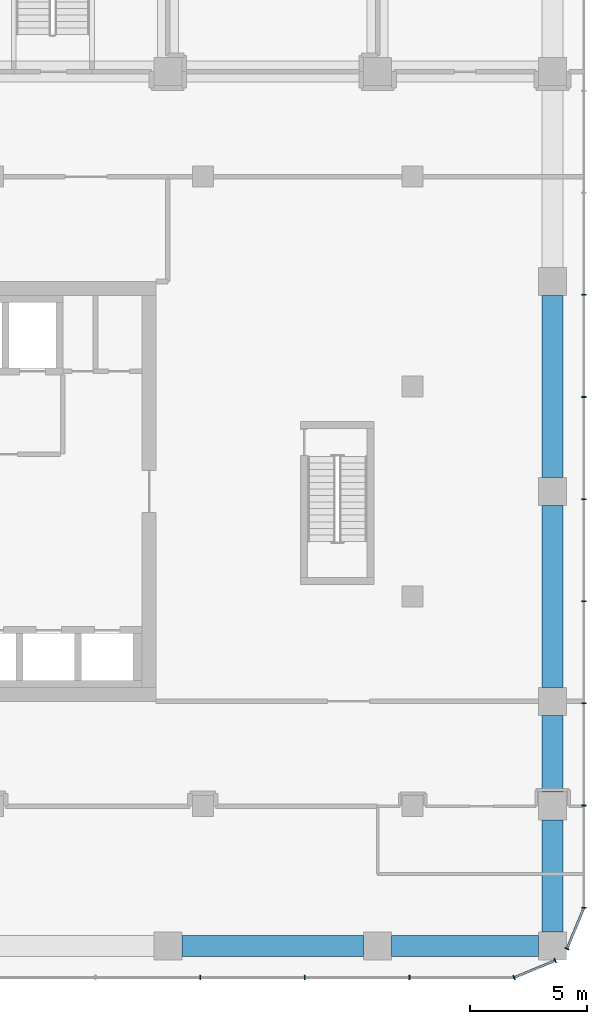
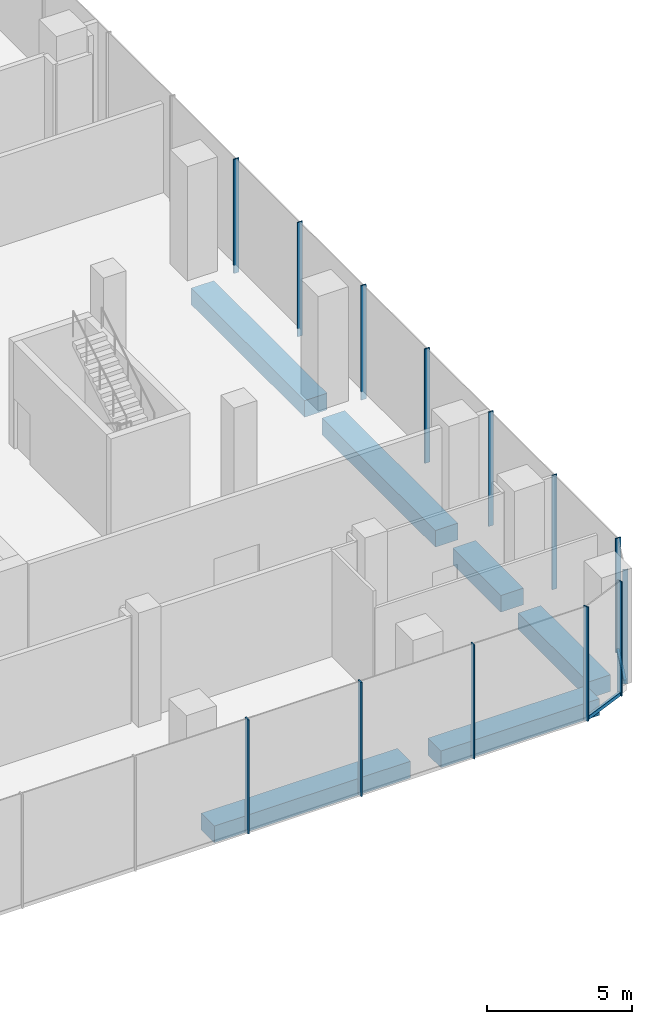
# One storey, part 16 of 42: 15 members, 6 beams, 4 elements without a shape of their own.
"""IFC4 building model written with IfcOpenShell, lengths in metres."""

from ifc_helpers import new_model, si_unit, direction, frame, origin, origin_2d, place, context, subcontext, project, spatial, rectangle, extrude, material, layer, layer_set, material_profile, profile_set, type_object, element, aggregate, save


model = new_model("IFC4")

# Units and contexts
model_context = context("Model", 3, precision=1e-05, world=origin(), true_north=direction((0.0, 1.0)))
body_context = subcontext(model_context, "Body", "Model", "MODEL_VIEW")
ifc_project = project(units=[si_unit("LENGTHUNIT", "METRE"), si_unit("AREAUNIT", "SQUARE_METRE"), si_unit("VOLUMEUNIT", "CUBIC_METRE"), si_unit("PLANEANGLEUNIT", "RADIAN"), si_unit("MASSUNIT", "GRAM", prefix="KILO")], contexts=[model_context])

# Site, building, storey
site_placement = place(None, origin())
site = spatial("IfcSite", under=ifc_project, at=site_placement, CompositionType="ELEMENT")
building_placement = place(site_placement, origin())
building = spatial("IfcBuilding", under=site, at=building_placement, Name="Plateau Cross Towers", CompositionType="ELEMENT")
storey_placement = place(building_placement, frame((0.0, 0.0, 8.0)))
storey = spatial("IfcBuildingStorey", under=building, at=storey_placement, Name="L01", CompositionType="ELEMENT", Elevation=8.0)

# Curtain wall, members
ifc_material_1 = material(Name="Dark low-iron laminated glass", Category="glass")
ifc_layer = layer(ifc_material_1, 0.300048828125)
ifc_layer_set = layer_set([ifc_layer], Name="Dark low-iron laminated glass")
curtain_wall_type = type_object("IfcCurtainWallType", Name="Curtain wall structural silicone CW-C", PredefinedType="NOTDEFINED", material=ifc_layer_set)
curtain_wall_1_placement = place(storey_placement, origin())
curtain_wall_1 = element("IfcCurtainWall", 1, at=curtain_wall_1_placement, inside=storey, type_object=curtain_wall_type, Name="ENV/P/L01/P-28_-118", PredefinedType="NOTDEFINED")
ifc_material_2 = material(Name="Black anodised aluminium", Category="aluminium")
ifc_material_profile_1 = material_profile(ifc_material_2, rectangle(XDim=0.050048828125, YDim=0.199951171875, at=origin_2d()), Name="MULLION 50x200")
ifc_profile_set_1 = profile_set([ifc_material_profile_1], Name="Black anodised aluminium")
member_type_1 = type_object("IfcMemberType", Name="Mullion 50x200 structural silicone", PredefinedType="MULLION", material=ifc_profile_set_1)
member_1_placement = place(storey_placement, frame((91.387451171875, -11.85009765625, -0.35009765625), z_axis=(0.0, 0.0, 1.0), x_axis=(1.0, 0.0, 0.0)))
member_1 = element("IfcMember", 2, at=member_1_placement, type_object=member_type_1, Name="CW-C mullion 22", PredefinedType="MULLION", context=body_context, shape_type="SweptSolid", body=[
    extrude(rectangle(XDim=0.050048828125, YDim=0.199951171875, at=origin_2d()), origin(), (0.0, 0.0, 1.0), 4.800048828125),
])
member_2_placement = place(storey_placement, frame((95.875, -11.85009765625, -0.35009765625), z_axis=(0.0, 0.0, 1.0), x_axis=(1.0, 0.0, 0.0)))
member_2 = element("IfcMember", 3, at=member_2_placement, type_object=member_type_1, Name="CW-C mullion 23", PredefinedType="MULLION", context=body_context, shape_type="SweptSolid", body=[
    extrude(rectangle(XDim=0.050048828125, YDim=0.199951171875, at=origin_2d()), origin(), (0.0, 0.0, 1.0), 4.800048828125),
])
member_3_placement = place(storey_placement, frame((100.362548828125, -11.85009765625, -0.35009765625), z_axis=(0.0, 0.0, 1.0), x_axis=(1.0, 0.0, 0.0)))
member_3 = element("IfcMember", 4, at=member_3_placement, type_object=member_type_1, Name="CW-C mullion 24", PredefinedType="MULLION", context=body_context, shape_type="SweptSolid", body=[
    extrude(rectangle(XDim=0.050048828125, YDim=0.199951171875, at=origin_2d()), origin(), (0.0, 0.0, 1.0), 4.800048828125),
])
aggregate(curtain_wall_1, [member_1, member_2, member_3])

curtain_wall_2_placement = place(storey_placement, origin())
curtain_wall_2 = element("IfcCurtainWall", 5, at=curtain_wall_2_placement, inside=storey, type_object=curtain_wall_type, Name="ENV/P/L01/P1048_-118", PredefinedType="NOTDEFINED")
member_4_placement = place(storey_placement, frame((104.85009765625, -11.85009765625, -0.35009765625), z_axis=(0.0, 0.0, 1.0), x_axis=(0.923879457699, 0.382683612978, 0.0)))
member_4 = element("IfcMember", 6, at=member_4_placement, type_object=member_type_1, Name="CW-C mullion 1", PredefinedType="MULLION", context=body_context, shape_type="SweptSolid", body=[
    extrude(rectangle(XDim=0.050048828125, YDim=0.199951171875, at=origin_2d()), origin(), (0.0, 0.0, 1.0), 4.800048828125),
])
member_5_placement = place(storey_placement, frame((106.6123046875, -11.1201171875, -0.35009765625), z_axis=(0.0, 0.0, 1.0), x_axis=(0.923879457699, 0.382683612978, 0.0)))
member_5 = element("IfcMember", 7, at=member_5_placement, type_object=member_type_1, Name="CW-C mullion 2", PredefinedType="MULLION", context=body_context, shape_type="SweptSolid", body=[
    extrude(rectangle(XDim=0.050048828125, YDim=0.199951171875, at=origin_2d()), origin(), (0.0, 0.0, 1.0), 4.800048828125),
])

# Curtain wall, member
curtain_wall_3_placement = place(storey_placement, origin())
curtain_wall_3 = element("IfcCurtainWall", 8, at=curtain_wall_3_placement, inside=storey, type_object=curtain_wall_type, Name="ENV/P/L01/P1071_-106", PredefinedType="NOTDEFINED")
member_6_placement = place(storey_placement, frame((107.1201171875, -10.6123046875, -0.35009765625), z_axis=(0.0, 0.0, 1.0), x_axis=(0.382683612978, 0.923879457699, 0.0)))
member_6 = element("IfcMember", 9, at=member_6_placement, type_object=member_type_1, Name="CW-C mullion 1", PredefinedType="MULLION", context=body_context, shape_type="SweptSolid", body=[
    extrude(rectangle(XDim=0.050048828125, YDim=0.199951171875, at=origin_2d()), origin(), (0.0, 0.0, 1.0), 4.800048828125),
])

# Curtain wall, members
curtain_wall_4_placement = place(storey_placement, origin())
curtain_wall_4 = element("IfcCurtainWall", 10, at=curtain_wall_4_placement, inside=storey, type_object=curtain_wall_type, Name="ENV/P/L01/P1078_-88", PredefinedType="NOTDEFINED")
member_7_placement = place(storey_placement, frame((107.85009765625, -8.85009765625, -0.35009765625), z_axis=(0.0, 0.0, 1.0), x_axis=(0.0, 1.0, 0.0)))
member_7 = element("IfcMember", 11, at=member_7_placement, type_object=member_type_1, Name="CW-C mullion 1", PredefinedType="MULLION", context=body_context, shape_type="SweptSolid", body=[
    extrude(rectangle(XDim=0.050048828125, YDim=0.199951171875, at=origin_2d()), origin(), (0.0, 0.0, 1.0), 4.800048828125),
])
member_8_placement = place(storey_placement, frame((107.85009765625, -4.469970703125, -0.35009765625), z_axis=(0.0, 0.0, 1.0), x_axis=(0.0, 1.0, 0.0)))
member_8 = element("IfcMember", 12, at=member_8_placement, type_object=member_type_1, Name="CW-C mullion 2", PredefinedType="MULLION", context=body_context, shape_type="SweptSolid", body=[
    extrude(rectangle(XDim=0.050048828125, YDim=0.199951171875, at=origin_2d()), origin(), (0.0, 0.0, 1.0), 4.800048828125),
])
member_9_placement = place(storey_placement, frame((107.85009765625, -0.090087890625, -0.35009765625), z_axis=(0.0, 0.0, 1.0), x_axis=(0.0, 1.0, 0.0)))
member_9 = element("IfcMember", 13, at=member_9_placement, type_object=member_type_1, Name="CW-C mullion 3", PredefinedType="MULLION", context=body_context, shape_type="SweptSolid", body=[
    extrude(rectangle(XDim=0.050048828125, YDim=0.199951171875, at=origin_2d()), origin(), (0.0, 0.0, 1.0), 4.800048828125),
])
member_10_placement = place(storey_placement, frame((107.85009765625, 4.2900390625, -0.35009765625), z_axis=(0.0, 0.0, 1.0), x_axis=(0.0, 1.0, 0.0)))
member_10 = element("IfcMember", 14, at=member_10_placement, type_object=member_type_1, Name="CW-C mullion 4", PredefinedType="MULLION", context=body_context, shape_type="SweptSolid", body=[
    extrude(rectangle(XDim=0.050048828125, YDim=0.199951171875, at=origin_2d()), origin(), (0.0, 0.0, 1.0), 4.800048828125),
])
member_11_placement = place(storey_placement, frame((107.85009765625, 8.669921875, -0.35009765625), z_axis=(0.0, 0.0, 1.0), x_axis=(0.0, 1.0, 0.0)))
member_11 = element("IfcMember", 15, at=member_11_placement, type_object=member_type_1, Name="CW-C mullion 5", PredefinedType="MULLION", context=body_context, shape_type="SweptSolid", body=[
    extrude(rectangle(XDim=0.050048828125, YDim=0.199951171875, at=origin_2d()), origin(), (0.0, 0.0, 1.0), 4.800048828125),
])
member_12_placement = place(storey_placement, frame((107.85009765625, 13.050048828125, -0.35009765625), z_axis=(0.0, 0.0, 1.0), x_axis=(0.0, 1.0, 0.0)))
member_12 = element("IfcMember", 16, at=member_12_placement, type_object=member_type_1, Name="CW-C mullion 6", PredefinedType="MULLION", context=body_context, shape_type="SweptSolid", body=[
    extrude(rectangle(XDim=0.050048828125, YDim=0.199951171875, at=origin_2d()), origin(), (0.0, 0.0, 1.0), 4.800048828125),
])
member_13_placement = place(storey_placement, frame((107.85009765625, 17.429931640625, -0.35009765625), z_axis=(0.0, 0.0, 1.0), x_axis=(0.0, 1.0, 0.0)))
member_13 = element("IfcMember", 17, at=member_13_placement, type_object=member_type_1, Name="CW-C mullion 7", PredefinedType="MULLION", context=body_context, shape_type="SweptSolid", body=[
    extrude(rectangle(XDim=0.050048828125, YDim=0.199951171875, at=origin_2d()), origin(), (0.0, 0.0, 1.0), 4.800048828125),
])
aggregate(curtain_wall_4, [member_7, member_8, member_9, member_10, member_11, member_12, member_13])

# Beams
ifc_material_3 = material(Name="Concrete C50/60", Category="concrete")
ifc_material_profile_2 = material_profile(ifc_material_3, rectangle(XDim=0.89990234375, YDim=0.699951171875, at=origin_2d()), Name="RC 900x700")
ifc_profile_set_2 = profile_set([ifc_material_profile_2], Name="Concrete C50/60")
beam_type = type_object("IfcBeamType", Name="Podium band beam RC 900x700", PredefinedType="BEAM", material=ifc_profile_set_2)
beam_1_placement = place(storey_placement, frame((90.60009765625, -10.5, -0.699951171875), z_axis=(1.0, 0.0, 0.0), x_axis=(0.0, 1.0, 0.0)))
element("IfcBeam", 18, at=beam_1_placement, inside=storey, type_object=beam_type, Name="PB12@L01", PredefinedType="BEAM", context=body_context, shape_type="SweptSolid", body=[
    extrude(rectangle(XDim=0.89990234375, YDim=0.699951171875, at=origin_2d()), origin(), (0.0, 0.0, 1.0), 7.7998046875),
])
beam_2_placement = place(storey_placement, frame((99.60009765625, -10.5, -0.699951171875), z_axis=(1.0, 0.0, 0.0), x_axis=(0.0, 1.0, 0.0)))
element("IfcBeam", 19, at=beam_2_placement, inside=storey, type_object=beam_type, Name="PB13@L01", PredefinedType="BEAM", context=body_context, shape_type="SweptSolid", body=[
    extrude(rectangle(XDim=0.89990234375, YDim=0.699951171875, at=origin_2d()), origin(), (0.0, 0.0, 1.0), 6.2998046875),
])
beam_3_placement = place(storey_placement, frame((106.5, -9.89990234375, -0.699951171875), z_axis=(0.0, 1.0, 0.0), x_axis=(-1.0, 0.0, 0.0)))
element("IfcBeam", 20, at=beam_3_placement, inside=storey, type_object=beam_type, Name="PB173@L01", PredefinedType="BEAM", context=body_context, shape_type="SweptSolid", body=[
    extrude(rectangle(XDim=0.89990234375, YDim=0.699951171875, at=origin_2d()), origin(), (0.0, 0.0, 1.0), 4.7998046875),
])
beam_4_placement = place(storey_placement, frame((106.5, -3.89990234375, -0.699951171875), z_axis=(0.0, 1.0, 0.0), x_axis=(-1.0, 0.0, 0.0)))
element("IfcBeam", 21, at=beam_4_placement, inside=storey, type_object=beam_type, Name="PB174@L01", PredefinedType="BEAM", context=body_context, shape_type="SweptSolid", body=[
    extrude(rectangle(XDim=0.89990234375, YDim=0.699951171875, at=origin_2d()), origin(), (0.0, 0.0, 1.0), 3.2998046875),
])
for number, where, z_axis, x_axis, name in (
    (22, (106.5, 0.60009765625, -0.699951171875), (0.0, 1.0, 0.0), (-1.0, 0.0, 0.0), "PB175@L01"),
    (23, (106.5, 9.60009765625, -0.699951171875), (0.0, 1.0, 0.0), (-1.0, 0.0, 0.0), "PB176@L01"),
):
    element("IfcBeam", number, at=place(storey_placement, frame(where, z_axis=z_axis, x_axis=x_axis)), inside=storey, type_object=beam_type, Name=name, PredefinedType="BEAM", context=body_context, shape_type="SweptSolid", body=[
        extrude(rectangle(XDim=0.89990234375, YDim=0.699951171875, at=origin_2d()), origin(), (0.0, 0.0, 1.0), 7.7998046875),
    ])

# Member
ifc_material_profile_3 = material_profile(ifc_material_2, rectangle(XDim=0.10009765625, YDim=0.14990234375, at=origin_2d()), Name="TRANSOM 100x150")
ifc_profile_set_3 = profile_set([ifc_material_profile_3], Name="Black anodised aluminium")
member_type_2 = type_object("IfcMemberType", Name="Transom 100x150 structural silicone", PredefinedType="USERDEFINED", material=ifc_profile_set_3)
member_14_placement = place(storey_placement, frame((104.85009765625, -11.85009765625, -0.27490234375), z_axis=(0.923870187147, 0.38270599329, 0.0), x_axis=(-0.38270599329, 0.923870187147, 0.0)))
member_14 = element("IfcMember", 24, at=member_14_placement, type_object=member_type_2, Name="CW-C transom", ObjectType="TRANSOM", PredefinedType="USERDEFINED", context=body_context, shape_type="SweptSolid", body=[
    extrude(rectangle(XDim=0.10009765625, YDim=0.14990234375, at=origin_2d()), origin(), (0.0, 0.0, 1.0), 1.907470703125),
])

aggregate(curtain_wall_2, [member_4, member_5, member_14])

member_15_placement = place(storey_placement, frame((107.1201171875, -10.6123046875, -0.27490234375), z_axis=(0.38270599329, 0.923870187147, 0.0), x_axis=(-0.923870187147, 0.38270599329, 0.0)))
member_15 = element("IfcMember", 25, at=member_15_placement, type_object=member_type_2, Name="CW-C transom", ObjectType="TRANSOM", PredefinedType="USERDEFINED", context=body_context, shape_type="SweptSolid", body=[
    extrude(rectangle(XDim=0.10009765625, YDim=0.14990234375, at=origin_2d()), origin(), (0.0, 0.0, 1.0), 1.907470703125),
])

aggregate(curtain_wall_3, [member_6, member_15])

save(model, "model.ifc")
